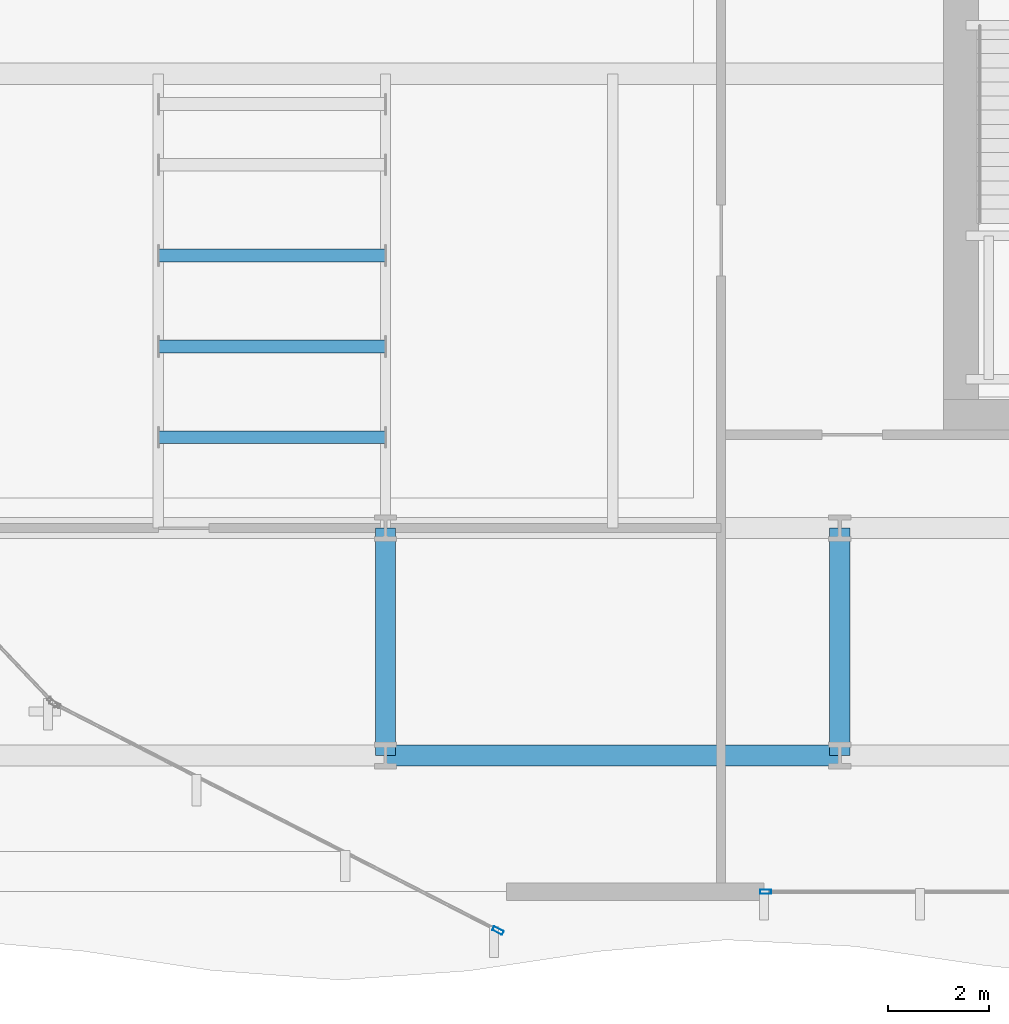
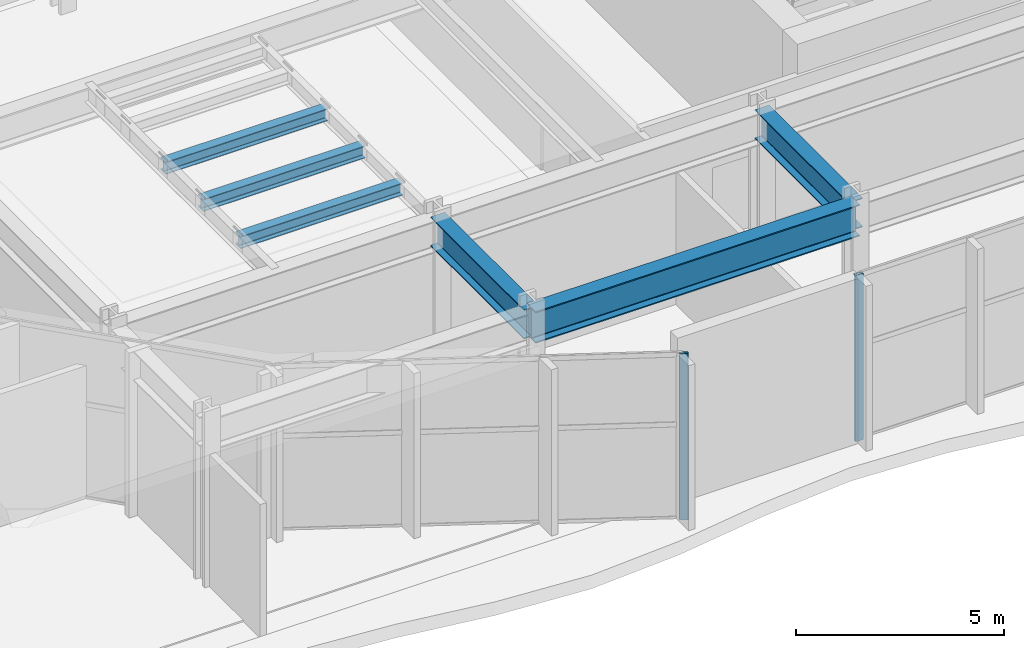
# One storey, part 4 of 33: 5 members, 3 beams, 2 elements without a shape of their own.
"""IFC4 building model written with IfcOpenShell, lengths in metres."""

from ifc_helpers import new_model, si_unit, direction, frame, origin, origin_2d, place, context, subcontext, project, spatial, hollow_rectangle, i_section, extrude, material, layer, layer_set, material_profile, profile_set, type_object, element, aggregate, save


model = new_model("IFC4")

# Units and contexts
model_context = context("Model", 3, precision=1e-05, world=origin(), true_north=direction((0.0, 1.0)))
body_context = subcontext(model_context, "Body", "Model", "MODEL_VIEW")
ifc_project = project(units=[si_unit("LENGTHUNIT", "METRE"), si_unit("AREAUNIT", "SQUARE_METRE"), si_unit("VOLUMEUNIT", "CUBIC_METRE"), si_unit("PLANEANGLEUNIT", "RADIAN"), si_unit("MASSUNIT", "GRAM", prefix="KILO")], contexts=[model_context])

# Site, building, storey
site_placement = place(None, origin())
site = spatial("IfcSite", under=ifc_project, at=site_placement, CompositionType="ELEMENT")
building_placement = place(site_placement, origin())
building = spatial("IfcBuilding", under=site, at=building_placement, Name="Solvaryn Broadcast Tower", CompositionType="ELEMENT")
storey_placement = place(building_placement, frame((0.0, 0.0, 5.800048828125)))
storey = spatial("IfcBuildingStorey", under=building, at=storey_placement, Name="L01", CompositionType="ELEMENT", Elevation=5.800048828125)

# Beams
ifc_material_1 = material(Name="Steel ASTM A992 Grade 50", Category="steel")
ifc_material_profile_1 = material_profile(ifc_material_1, i_section(OverallWidth=0.41796875, OverallDepth=0.927001953125, WebThickness=0.019287109375, FlangeThickness=0.031982421875, FilletRadius=0.02392578125, at=origin_2d()))
ifc_profile_set_1 = profile_set([ifc_material_profile_1], Name="Steel ASTM A992 Grade 50")
beam_type_1 = type_object("IfcBeamType", Name="BM-G2-W36X231", PredefinedType="BEAM", material=ifc_profile_set_1)
beam_placement = place(storey_placement, frame((18.0, 4.5, 4.41650390625), z_axis=(1.0, 0.0, 0.0), x_axis=(0.0, 1.0, 0.0)))
element("IfcBeam", 1, at=beam_placement, inside=storey, type_object=beam_type_1, Name="L01 Primary Beam X (18-27 @ Y=4)", PredefinedType="BEAM", context=body_context, shape_type="SweptSolid", body=[
    extrude(i_section(OverallWidth=0.41796875, OverallDepth=0.927001953125, WebThickness=0.019287109375, FlangeThickness=0.031982421875, FilletRadius=0.02392578125, at=origin_2d()), origin(), (0.0, 0.0, 1.0), 9.0),
])
ifc_material_2 = material(Name="Steel ASTM A992 Grade 50", Category="steel")
ifc_material_profile_2 = material_profile(ifc_material_2, i_section(OverallWidth=0.39990234375, OverallDepth=0.85498046875, WebThickness=0.018310546875, FlangeThickness=0.029296875, FilletRadius=0.02001953125, at=origin_2d()))
ifc_profile_set_2 = profile_set([ifc_material_profile_2], Name="Steel ASTM A992 Grade 50")
beam_type_2 = type_object("IfcBeamType", Name="BM-G3-W33X201", PredefinedType="BEAM", material=ifc_profile_set_2)
for number, where, z_axis, x_axis, name in (
    (2, (18.0, 4.5, 4.452392578125), (0.0, 1.0, 0.0), (-1.0, 0.0, 0.0), "L01 Primary Beam Y (4-9 @ X=18)"),
    (3, (27.0, 4.5, 4.452392578125), (0.0, 1.0, 0.0), (-1.0, 0.0, 0.0), "L01 Primary Beam Y (4-9 @ X=27)"),
):
    element("IfcBeam", number, at=place(storey_placement, frame(where, z_axis=z_axis, x_axis=x_axis)), inside=storey, type_object=beam_type_2, Name=name, PredefinedType="BEAM", context=body_context, shape_type="SweptSolid", body=[
        extrude(i_section(OverallWidth=0.39990234375, OverallDepth=0.85498046875, WebThickness=0.018310546875, FlangeThickness=0.029296875, FilletRadius=0.02001953125, at=origin_2d()), origin(), (0.0, 0.0, 1.0), 4.5),
    ])

# Curtain wall, member
ifc_material_3 = material(Name="Aluminium and Terracotta Unitised Curtain Wall", Category="masonry")
ifc_layer = layer(ifc_material_3, 0.219970703125)
ifc_layer_set = layer_set([ifc_layer], Name="CW-SYS1-PODIUM")
curtain_wall_type = type_object("IfcCurtainWallType", Name="CW-SYS1-PODIUM", PredefinedType="NOTDEFINED", material=ifc_layer_set)
curtain_wall_1_placement = place(storey_placement, origin())
curtain_wall_1 = element("IfcCurtainWall", 4, at=curtain_wall_1_placement, inside=storey, type_object=curtain_wall_type, Name="L01 Podium Curtain Wall S1", PredefinedType="NOTDEFINED")
ifc_material_4 = material(Name="Anodised Aluminium 6063-T6", Category="aluminium")
ifc_material_profile_3 = material_profile(ifc_material_4, hollow_rectangle(XDim=0.0849609375, YDim=0.219970703125, WallThickness=0.0048828125, InnerFilletRadius=0.0048828125, OuterFilletRadius=0.010009765625, at=origin_2d()))
ifc_profile_set_3 = profile_set([ifc_material_profile_3], Name="Anodised Aluminium 6063-T6")
member_type_1 = type_object("IfcMemberType", Name="CW-MUL-220", PredefinedType="MULLION", material=ifc_profile_set_3)
member_1_placement = place(storey_placement, frame((25.530029296875, 1.800048828125, 0.0), z_axis=(0.0, 0.0, 1.0), x_axis=(0.0, -1.0, 0.0)))
member_1 = element("IfcMember", 5, at=member_1_placement, type_object=member_type_1, Name="CWS1 mullion 3", PredefinedType="MULLION", context=body_context, shape_type="SweptSolid", body=[
    extrude(hollow_rectangle(XDim=0.0849609375, YDim=0.219970703125, WallThickness=0.0048828125, InnerFilletRadius=0.0048828125, OuterFilletRadius=0.010009765625, at=origin_2d()), origin(), (0.0, 0.0, 1.0), 4.8798828125),
])
aggregate(curtain_wall_1, [member_1])

curtain_wall_2_placement = place(storey_placement, origin())
curtain_wall_2 = element("IfcCurtainWall", 6, at=curtain_wall_2_placement, inside=storey, type_object=curtain_wall_type, Name="L01 Podium Curtain Wall DC4", PredefinedType="NOTDEFINED")
member_2_placement = place(storey_placement, frame((20.228271484375, 1.028564453125, 0.0), z_axis=(0.0, 0.0, 1.0), x_axis=(0.455341994901, 0.89031661092, 0.0)))
member_2 = element("IfcMember", 7, at=member_2_placement, type_object=member_type_1, Name="CWS1 mullion 2", PredefinedType="MULLION", context=body_context, shape_type="SweptSolid", body=[
    extrude(hollow_rectangle(XDim=0.0849609375, YDim=0.219970703125, WallThickness=0.0048828125, InnerFilletRadius=0.0048828125, OuterFilletRadius=0.010009765625, at=origin_2d()), origin(), (0.0, 0.0, 1.0), 4.8798828125),
])
aggregate(curtain_wall_2, [member_2])

# Members
ifc_material_5 = material(Name="Steel ASTM A992 Grade 50", Category="steel")
ifc_material_profile_4 = material_profile(ifc_material_5, i_section(OverallWidth=0.2548828125, OverallDepth=0.35693359375, WebThickness=0.010498046875, FlangeThickness=0.018310546875, FilletRadius=0.014892578125, at=origin_2d()))
ifc_profile_set_4 = profile_set([ifc_material_profile_4], Name="Steel ASTM A992 Grade 50")
member_type_2 = type_object("IfcMemberType", Name="MB-STUDIO-RIG", PredefinedType="STRUT", material=ifc_profile_set_4)
for number, where, z_axis, x_axis, name in (
    (8, (13.5, 10.800048828125, 4.613525390625), (1.0, 0.0, 0.0), (0.0, 1.0, 0.0), "L01 Studio Acoustic Grid Strut 1"),
    (9, (13.5, 12.60009765625, 4.613525390625), (1.0, 0.0, 0.0), (0.0, 1.0, 0.0), "L01 Studio Acoustic Grid Strut 2"),
    (10, (13.5, 14.39990234375, 4.613525390625), (1.0, 0.0, 0.0), (0.0, 1.0, 0.0), "L01 Studio Acoustic Grid Strut 3"),
):
    element("IfcMember", number, at=place(storey_placement, frame(where, z_axis=z_axis, x_axis=x_axis)), inside=storey, type_object=member_type_2, Name=name, PredefinedType="STRUT", context=body_context, shape_type="SweptSolid", body=[
        extrude(i_section(OverallWidth=0.2548828125, OverallDepth=0.35693359375, WebThickness=0.010498046875, FlangeThickness=0.018310546875, FilletRadius=0.014892578125, at=origin_2d()), origin(), (0.0, 0.0, 1.0), 4.5),
    ])

save(model, "model.ifc")
